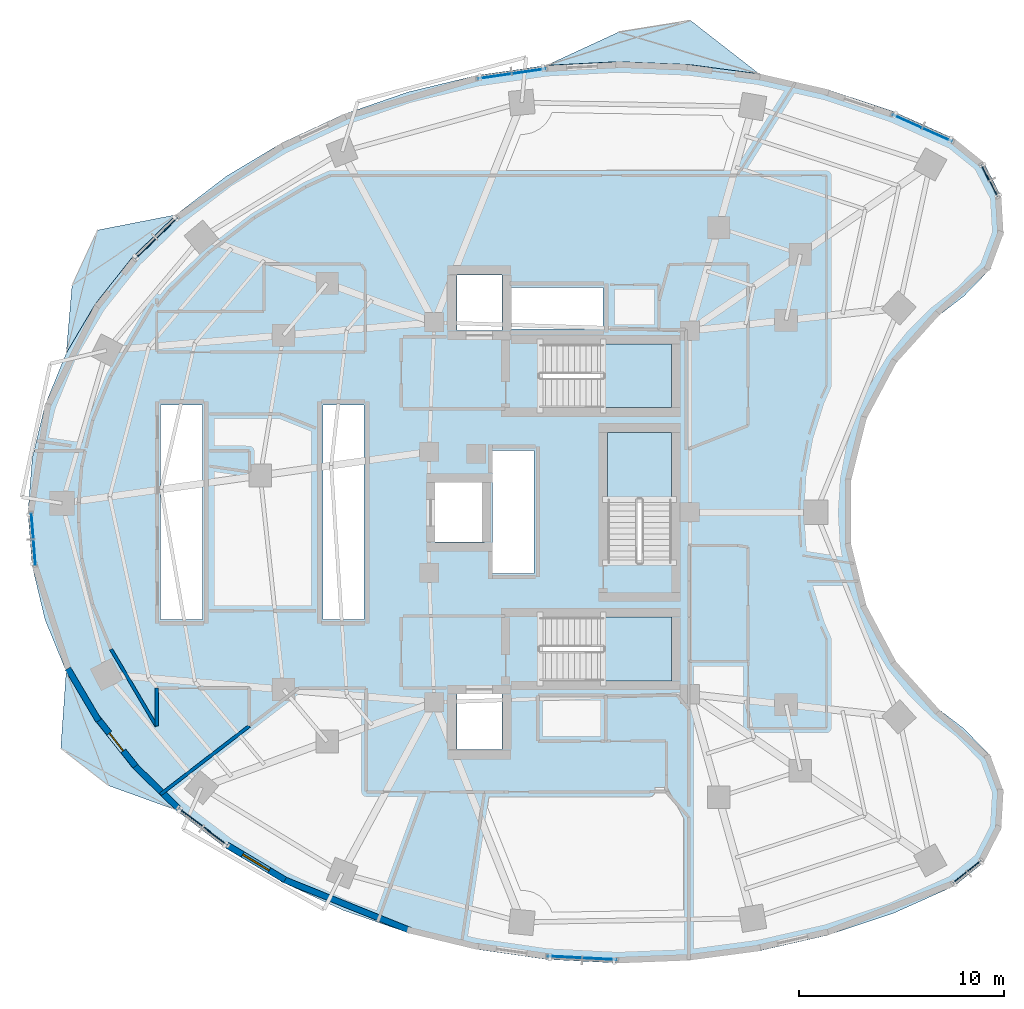
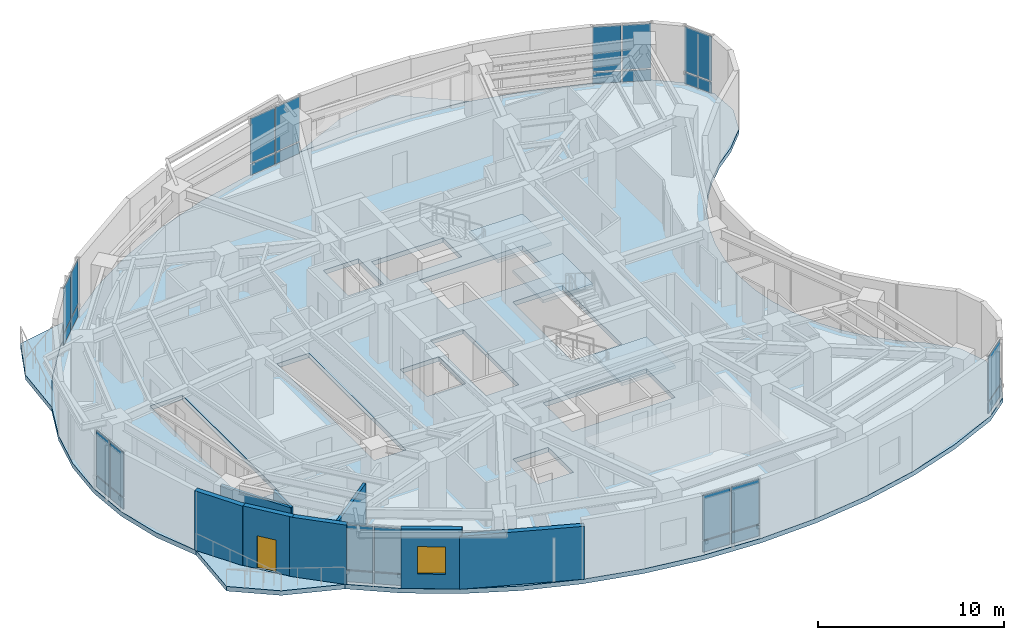
# One storey, part 7 of 15: 28 plates, 8 walls, 7 slabs, 1 door, 1 window, 2 openings, 11 elements without a shape of their own.
"""IFC4 building model written with IfcOpenShell, lengths in metres."""

from ifc_helpers import new_model, si_unit, direction, frame, frame_2d, origin, origin_2d, place, context, subcontext, project, spatial, polyline, rectangle, outline, extrude, material, layer, layer_set, type_object, element, fill, aggregate, save


model = new_model("IFC4")

# Units and contexts
model_context = context("Model", 3, precision=1e-05, world=origin(), true_north=direction((0.0, 1.0)))
body_context = subcontext(model_context, "Body", "Model", "MODEL_VIEW")
ifc_project = project(units=[si_unit("LENGTHUNIT", "METRE"), si_unit("AREAUNIT", "SQUARE_METRE"), si_unit("VOLUMEUNIT", "CUBIC_METRE"), si_unit("PLANEANGLEUNIT", "RADIAN"), si_unit("MASSUNIT", "GRAM", prefix="KILO")], contexts=[model_context])

# Site, building, storey
site_placement = place(None, origin())
site = spatial("IfcSite", under=ifc_project, at=site_placement, CompositionType="ELEMENT")
building_placement = place(site_placement, origin())
building = spatial("IfcBuilding", under=site, at=building_placement, Name="Korentha Bioscience Tower", CompositionType="ELEMENT")
storey_placement = place(building_placement, frame((0.0, 0.0, 115.199951171875)))
storey = spatial("IfcBuildingStorey", under=building, at=storey_placement, Name="L26", CompositionType="ELEMENT", Elevation=115.199951171875)

# Curtain wall, plates
ifc_material_1 = material(Name="Thermally Broken Aluminium Frame", Category="aluminium")
ifc_layer_1 = layer(ifc_material_1, 0.219970703125, Name="Thermally Broken Aluminium Frame")
ifc_layer_set_1 = layer_set([ifc_layer_1], Name="Thermally Broken Aluminium Frame (CW-T2)")
curtain_wall_type = type_object("IfcCurtainWallType", Name="Solar-Screened Lab Unitised Curtain Wall CW-T2", PredefinedType="USERDEFINED", material=ifc_layer_set_1)
curtain_wall_1_placement = place(storey_placement, origin())
curtain_wall_1 = element("IfcCurtainWall", 1, at=curtain_wall_1_placement, inside=storey, type_object=curtain_wall_type, Name="L26 Curtain Wall 01", ObjectType="UNITISED", PredefinedType="USERDEFINED")
ifc_material_2 = material(Name="Triple-Glazed Low-E Insulated Glass", Category="glass")
ifc_layer_2 = layer(ifc_material_2, 0.0439453125, Name="Triple-Glazed Low-E Insulated Glass")
ifc_layer_set_2 = layer_set([ifc_layer_2], Name="Triple-Glazed Low-E Insulated Glass (GL-44)")
plate_type = type_object("IfcPlateType", Name="Glazed Panel 44mm", PredefinedType="CURTAIN_PANEL", material=ifc_layer_set_2)
plate_1_placement = place(storey_placement, frame((49.61767578125, 45.385986328125, 0.08984375), z_axis=(0.0, 0.0, 1.0), x_axis=(-0.912686563127, 0.408660295952, 0.0)))
plate_1 = element("IfcPlate", 2, at=plate_1_placement, type_object=plate_type, Name="CW-L26-01 Bay 1 Glazed Panel 1", PredefinedType="CURTAIN_PANEL", context=body_context, shape_type="SweptSolid", body=[
    extrude(rectangle(XDim=1.54541015625, YDim=0.0439453125, at=origin_2d()), origin(), (0.0, 0.0, 1.0), 0.715087890625),
])
plate_2_placement = place(storey_placement, frame((49.61767578125, 45.385986328125, 0.89501953125), z_axis=(0.0, 0.0, 1.0), x_axis=(-0.912686563127, 0.408660295952, 0.0)))
plate_2 = element("IfcPlate", 3, at=plate_2_placement, type_object=plate_type, Name="CW-L26-01 Bay 1 Glazed Panel 2", PredefinedType="CURTAIN_PANEL", context=body_context, shape_type="SweptSolid", body=[
    extrude(rectangle(XDim=1.54541015625, YDim=0.0439453125, at=origin_2d()), origin(), (0.0, 0.0, 1.0), 2.9150390625),
])
plate_3_placement = place(storey_placement, frame((48.125, 46.05419921875, 0.08984375), z_axis=(0.0, 0.0, 1.0), x_axis=(-0.912686563127, 0.408660295952, 0.0)))
plate_3 = element("IfcPlate", 4, at=plate_3_placement, type_object=plate_type, Name="CW-L26-01 Bay 2 Glazed Panel 1", PredefinedType="CURTAIN_PANEL", context=body_context, shape_type="SweptSolid", body=[
    extrude(rectangle(XDim=1.54541015625, YDim=0.0439453125, at=origin_2d()), origin(), (0.0, 0.0, 1.0), 0.715087890625),
])
plate_4_placement = place(storey_placement, frame((48.125, 46.05419921875, 0.89501953125), z_axis=(0.0, 0.0, 1.0), x_axis=(-0.912686563127, 0.408660295952, 0.0)))
plate_4 = element("IfcPlate", 5, at=plate_4_placement, type_object=plate_type, Name="CW-L26-01 Bay 2 Glazed Panel 2", PredefinedType="CURTAIN_PANEL", context=body_context, shape_type="SweptSolid", body=[
    extrude(rectangle(XDim=1.54541015625, YDim=0.0439453125, at=origin_2d()), origin(), (0.0, 0.0, 1.0), 2.9150390625),
])
aggregate(curtain_wall_1, [plate_1, plate_2, plate_3, plate_4])

curtain_wall_2_placement = place(storey_placement, origin())
curtain_wall_2 = element("IfcCurtainWall", 6, at=curtain_wall_2_placement, inside=storey, type_object=curtain_wall_type, Name="L26 Curtain Wall 07", ObjectType="UNITISED", PredefinedType="USERDEFINED")
plate_5_placement = place(storey_placement, frame((29.724853515625, 48.486328125, 0.08984375), z_axis=(0.0, 0.0, 1.0), x_axis=(-0.989738282326, -0.14289203091, 0.0)))
plate_5 = element("IfcPlate", 7, at=plate_5_placement, type_object=plate_type, Name="CW-L26-07 Bay 1 Glazed Panel 1", PredefinedType="CURTAIN_PANEL", context=body_context, shape_type="SweptSolid", body=[
    extrude(rectangle(XDim=1.630615234375, YDim=0.0439453125, at=origin_2d()), origin(), (0.0, 0.0, 1.0), 0.715087890625),
])
plate_6_placement = place(storey_placement, frame((29.724853515625, 48.486328125, 0.89501953125), z_axis=(0.0, 0.0, 1.0), x_axis=(-0.989738282326, -0.14289203091, 0.0)))
plate_6 = element("IfcPlate", 8, at=plate_6_placement, type_object=plate_type, Name="CW-L26-07 Bay 1 Glazed Panel 2", PredefinedType="CURTAIN_PANEL", context=body_context, shape_type="SweptSolid", body=[
    extrude(rectangle(XDim=1.630615234375, YDim=0.0439453125, at=origin_2d()), origin(), (0.0, 0.0, 1.0), 2.9150390625),
])
plate_7_placement = place(storey_placement, frame((28.021728515625, 48.240478515625, 0.08984375), z_axis=(0.0, 0.0, 1.0), x_axis=(-0.989738282326, -0.14289203091, 0.0)))
plate_7 = element("IfcPlate", 9, at=plate_7_placement, type_object=plate_type, Name="CW-L26-07 Bay 2 Glazed Panel 1", PredefinedType="CURTAIN_PANEL", context=body_context, shape_type="SweptSolid", body=[
    extrude(rectangle(XDim=1.630615234375, YDim=0.0439453125, at=origin_2d()), origin(), (0.0, 0.0, 1.0), 0.715087890625),
])
plate_8_placement = place(storey_placement, frame((28.021728515625, 48.240478515625, 0.89501953125), z_axis=(0.0, 0.0, 1.0), x_axis=(-0.989738282326, -0.14289203091, 0.0)))
plate_8 = element("IfcPlate", 10, at=plate_8_placement, type_object=plate_type, Name="CW-L26-07 Bay 2 Glazed Panel 2", PredefinedType="CURTAIN_PANEL", context=body_context, shape_type="SweptSolid", body=[
    extrude(rectangle(XDim=1.630615234375, YDim=0.0439453125, at=origin_2d()), origin(), (0.0, 0.0, 1.0), 2.9150390625),
])
aggregate(curtain_wall_2, [plate_5, plate_6, plate_7, plate_8])

curtain_wall_3_placement = place(storey_placement, origin())
curtain_wall_3 = element("IfcCurtainWall", 11, at=curtain_wall_3_placement, inside=storey, type_object=curtain_wall_type, Name="L26 Curtain Wall 13", ObjectType="UNITISED", PredefinedType="USERDEFINED")
plate_9_placement = place(storey_placement, frame((12.09912109375, 40.858642578125, 0.08984375), z_axis=(0.0, 0.0, 1.0), x_axis=(-0.716095631804, -0.698002182025, 0.0)))
plate_9 = element("IfcPlate", 12, at=plate_9_placement, type_object=plate_type, Name="CW-L26-13 Bay 1 Glazed Panel 1", PredefinedType="CURTAIN_PANEL", context=body_context, shape_type="SweptSolid", body=[
    extrude(rectangle(XDim=1.39599609375, YDim=0.0439453125, at=origin_2d()), origin(), (0.0, 0.0, 1.0), 0.715087890625),
])
plate_10_placement = place(storey_placement, frame((12.09912109375, 40.858642578125, 0.89501953125), z_axis=(0.0, 0.0, 1.0), x_axis=(-0.716095631804, -0.698002182025, 0.0)))
plate_10 = element("IfcPlate", 13, at=plate_10_placement, type_object=plate_type, Name="CW-L26-13 Bay 1 Glazed Panel 2", PredefinedType="CURTAIN_PANEL", context=body_context, shape_type="SweptSolid", body=[
    extrude(rectangle(XDim=1.39599609375, YDim=0.0439453125, at=origin_2d()), origin(), (0.0, 0.0, 1.0), 2.9150390625),
])
plate_11_placement = place(storey_placement, frame((11.034912109375, 39.8212890625, 0.08984375), z_axis=(0.0, 0.0, 1.0), x_axis=(-0.716095631804, -0.698002182025, 0.0)))
plate_11 = element("IfcPlate", 14, at=plate_11_placement, type_object=plate_type, Name="CW-L26-13 Bay 2 Glazed Panel 1", PredefinedType="CURTAIN_PANEL", context=body_context, shape_type="SweptSolid", body=[
    extrude(rectangle(XDim=1.39599609375, YDim=0.0439453125, at=origin_2d()), origin(), (0.0, 0.0, 1.0), 0.715087890625),
])
plate_12_placement = place(storey_placement, frame((11.034912109375, 39.8212890625, 0.89501953125), z_axis=(0.0, 0.0, 1.0), x_axis=(-0.716095631804, -0.698002182025, 0.0)))
plate_12 = element("IfcPlate", 15, at=plate_12_placement, type_object=plate_type, Name="CW-L26-13 Bay 2 Glazed Panel 2", PredefinedType="CURTAIN_PANEL", context=body_context, shape_type="SweptSolid", body=[
    extrude(rectangle(XDim=1.39599609375, YDim=0.0439453125, at=origin_2d()), origin(), (0.0, 0.0, 1.0), 2.9150390625),
])
aggregate(curtain_wall_3, [plate_9, plate_10, plate_11, plate_12])

curtain_wall_4_placement = place(storey_placement, origin())
curtain_wall_4 = element("IfcCurtainWall", 16, at=curtain_wall_4_placement, inside=storey, type_object=curtain_wall_type, Name="L26 Curtain Wall 19", ObjectType="UNITISED", PredefinedType="USERDEFINED")
plate_13_placement = place(storey_placement, frame((5.52587890625, 26.35205078125, 0.08984375), z_axis=(0.0, 0.0, 1.0), x_axis=(0.079130214674, -0.996864288219, 0.0)))
plate_13 = element("IfcPlate", 17, at=plate_13_placement, type_object=plate_type, Name="CW-L26-19 Bay 1 Glazed Panel 1", PredefinedType="CURTAIN_PANEL", context=body_context, shape_type="SweptSolid", body=[
    extrude(rectangle(XDim=1.225341796875, YDim=0.0439453125, at=origin_2d()), origin(), (0.0, 0.0, 1.0), 0.715087890625),
])
plate_14_placement = place(storey_placement, frame((5.52587890625, 26.35205078125, 0.89501953125), z_axis=(0.0, 0.0, 1.0), x_axis=(0.079130214674, -0.996864288219, 0.0)))
plate_14 = element("IfcPlate", 18, at=plate_14_placement, type_object=plate_type, Name="CW-L26-19 Bay 1 Glazed Panel 2", PredefinedType="CURTAIN_PANEL", context=body_context, shape_type="SweptSolid", body=[
    extrude(rectangle(XDim=1.225341796875, YDim=0.0439453125, at=origin_2d()), origin(), (0.0, 0.0, 1.0), 2.9150390625),
])
plate_15_placement = place(storey_placement, frame((5.6298828125, 25.040771484375, 0.08984375), z_axis=(0.0, 0.0, 1.0), x_axis=(0.079130214674, -0.996864288219, 0.0)))
plate_15 = element("IfcPlate", 19, at=plate_15_placement, type_object=plate_type, Name="CW-L26-19 Bay 2 Glazed Panel 1", PredefinedType="CURTAIN_PANEL", context=body_context, shape_type="SweptSolid", body=[
    extrude(rectangle(XDim=1.225341796875, YDim=0.0439453125, at=origin_2d()), origin(), (0.0, 0.0, 1.0), 0.715087890625),
])
plate_16_placement = place(storey_placement, frame((5.6298828125, 25.040771484375, 0.89501953125), z_axis=(0.0, 0.0, 1.0), x_axis=(0.079130214674, -0.996864288219, 0.0)))
plate_16 = element("IfcPlate", 20, at=plate_16_placement, type_object=plate_type, Name="CW-L26-19 Bay 2 Glazed Panel 2", PredefinedType="CURTAIN_PANEL", context=body_context, shape_type="SweptSolid", body=[
    extrude(rectangle(XDim=1.225341796875, YDim=0.0439453125, at=origin_2d()), origin(), (0.0, 0.0, 1.0), 2.9150390625),
])
aggregate(curtain_wall_4, [plate_13, plate_14, plate_15, plate_16])

curtain_wall_5_placement = place(storey_placement, origin())
curtain_wall_5 = element("IfcCurtainWall", 21, at=curtain_wall_5_placement, inside=storey, type_object=curtain_wall_type, Name="L26 Curtain Wall 25", ObjectType="UNITISED", PredefinedType="USERDEFINED")
plate_17_placement = place(storey_placement, frame((13.234619140625, 12.162353515625, 0.08984375), z_axis=(0.0, 0.0, 1.0), x_axis=(0.794499603893, -0.607264669986, 0.0)))
plate_17 = element("IfcPlate", 22, at=plate_17_placement, type_object=plate_type, Name="CW-L26-25 Bay 1 Glazed Panel 1", PredefinedType="CURTAIN_PANEL", context=body_context, shape_type="SweptSolid", body=[
    extrude(rectangle(XDim=1.4462890625, YDim=0.0439453125, at=origin_2d()), origin(), (0.0, 0.0, 1.0), 0.715087890625),
])
plate_18_placement = place(storey_placement, frame((13.234619140625, 12.162353515625, 0.89501953125), z_axis=(0.0, 0.0, 1.0), x_axis=(0.794499603893, -0.607264669986, 0.0)))
plate_18 = element("IfcPlate", 23, at=plate_18_placement, type_object=plate_type, Name="CW-L26-25 Bay 1 Glazed Panel 2", PredefinedType="CURTAIN_PANEL", context=body_context, shape_type="SweptSolid", body=[
    extrude(rectangle(XDim=1.4462890625, YDim=0.0439453125, at=origin_2d()), origin(), (0.0, 0.0, 1.0), 2.9150390625),
])
plate_19_placement = place(storey_placement, frame((14.455078125, 11.229248046875, 0.08984375), z_axis=(0.0, 0.0, 1.0), x_axis=(0.794499603893, -0.607264669986, 0.0)))
plate_19 = element("IfcPlate", 24, at=plate_19_placement, type_object=plate_type, Name="CW-L26-25 Bay 2 Glazed Panel 1", PredefinedType="CURTAIN_PANEL", context=body_context, shape_type="SweptSolid", body=[
    extrude(rectangle(XDim=1.4462890625, YDim=0.0439453125, at=origin_2d()), origin(), (0.0, 0.0, 1.0), 0.715087890625),
])
plate_20_placement = place(storey_placement, frame((14.455078125, 11.229248046875, 0.89501953125), z_axis=(0.0, 0.0, 1.0), x_axis=(0.794499603893, -0.607264669986, 0.0)))
plate_20 = element("IfcPlate", 25, at=plate_20_placement, type_object=plate_type, Name="CW-L26-25 Bay 2 Glazed Panel 2", PredefinedType="CURTAIN_PANEL", context=body_context, shape_type="SweptSolid", body=[
    extrude(rectangle(XDim=1.4462890625, YDim=0.0439453125, at=origin_2d()), origin(), (0.0, 0.0, 1.0), 2.9150390625),
])
aggregate(curtain_wall_5, [plate_17, plate_18, plate_19, plate_20])

curtain_wall_6_placement = place(storey_placement, origin())
curtain_wall_6 = element("IfcCurtainWall", 26, at=curtain_wall_6_placement, inside=storey, type_object=curtain_wall_type, Name="L26 Curtain Wall 31", ObjectType="UNITISED", PredefinedType="USERDEFINED")
plate_21_placement = place(storey_placement, frame((31.436279296875, 5.346435546875, 0.08984375), z_axis=(0.0, 0.0, 1.0), x_axis=(0.998673231344, -0.051495407527, 0.0)))
plate_21 = element("IfcPlate", 27, at=plate_21_placement, type_object=plate_type, Name="CW-L26-31 Bay 1 Glazed Panel 1", PredefinedType="CURTAIN_PANEL", context=body_context, shape_type="SweptSolid", body=[
    extrude(rectangle(XDim=1.641845703125, YDim=0.0439453125, at=origin_2d()), origin(), (0.0, 0.0, 1.0), 0.715087890625),
])
plate_22_placement = place(storey_placement, frame((31.436279296875, 5.346435546875, 0.89501953125), z_axis=(0.0, 0.0, 1.0), x_axis=(0.998673231344, -0.051495407527, 0.0)))
plate_22 = element("IfcPlate", 28, at=plate_22_placement, type_object=plate_type, Name="CW-L26-31 Bay 1 Glazed Panel 2", PredefinedType="CURTAIN_PANEL", context=body_context, shape_type="SweptSolid", body=[
    extrude(rectangle(XDim=1.641845703125, YDim=0.0439453125, at=origin_2d()), origin(), (0.0, 0.0, 1.0), 2.9150390625),
])
plate_23_placement = place(storey_placement, frame((33.166015625, 5.25732421875, 0.08984375), z_axis=(0.0, 0.0, 1.0), x_axis=(0.998673231344, -0.051495407527, 0.0)))
plate_23 = element("IfcPlate", 29, at=plate_23_placement, type_object=plate_type, Name="CW-L26-31 Bay 2 Glazed Panel 1", PredefinedType="CURTAIN_PANEL", context=body_context, shape_type="SweptSolid", body=[
    extrude(rectangle(XDim=1.641845703125, YDim=0.0439453125, at=origin_2d()), origin(), (0.0, 0.0, 1.0), 0.715087890625),
])
plate_24_placement = place(storey_placement, frame((33.166015625, 5.25732421875, 0.89501953125), z_axis=(0.0, 0.0, 1.0), x_axis=(0.998673231344, -0.051495407527, 0.0)))
plate_24 = element("IfcPlate", 30, at=plate_24_placement, type_object=plate_type, Name="CW-L26-31 Bay 2 Glazed Panel 2", PredefinedType="CURTAIN_PANEL", context=body_context, shape_type="SweptSolid", body=[
    extrude(rectangle(XDim=1.641845703125, YDim=0.0439453125, at=origin_2d()), origin(), (0.0, 0.0, 1.0), 2.9150390625),
])
aggregate(curtain_wall_6, [plate_21, plate_22, plate_23, plate_24])

curtain_wall_7_placement = place(storey_placement, origin())
curtain_wall_7 = element("IfcCurtainWall", 31, at=curtain_wall_7_placement, inside=storey, type_object=curtain_wall_type, Name="L26 Curtain Wall 37", ObjectType="UNITISED", PredefinedType="USERDEFINED")
plate_25_placement = place(storey_placement, frame((51.04736328125, 9.506591796875, 0.08984375), z_axis=(0.0, 0.0, 1.0), x_axis=(0.777315301098, 0.629111216463, 0.0)))
plate_25 = element("IfcPlate", 32, at=plate_25_placement, type_object=plate_type, Name="CW-L26-37 Bay 1 Glazed Panel 1", PredefinedType="CURTAIN_PANEL", context=body_context, shape_type="SweptSolid", body=[
    extrude(rectangle(XDim=1.737548828125, YDim=0.0439453125, at=origin_2d()), origin(), (0.0, 0.0, 1.0), 0.715087890625),
])
plate_26_placement = place(storey_placement, frame((51.04736328125, 9.506591796875, 0.89501953125), z_axis=(0.0, 0.0, 1.0), x_axis=(0.777315301098, 0.629111216463, 0.0)))
plate_26 = element("IfcPlate", 33, at=plate_26_placement, type_object=plate_type, Name="CW-L26-37 Bay 1 Glazed Panel 2", PredefinedType="CURTAIN_PANEL", context=body_context, shape_type="SweptSolid", body=[
    extrude(rectangle(XDim=1.737548828125, YDim=0.0439453125, at=origin_2d()), origin(), (0.0, 0.0, 1.0), 2.9150390625),
])
aggregate(curtain_wall_7, [plate_25, plate_26])

curtain_wall_8_placement = place(storey_placement, origin())
curtain_wall_8 = element("IfcCurtainWall", 34, at=curtain_wall_8_placement, inside=storey, type_object=curtain_wall_type, Name="L26 Curtain Wall 61", ObjectType="UNITISED", PredefinedType="USERDEFINED")
plate_27_placement = place(storey_placement, frame((52.140380859375, 43.149658203125, 0.08984375), z_axis=(0.0, 0.0, 1.0), x_axis=(-0.457613117169, 0.889151412862, 0.0)))
plate_27 = element("IfcPlate", 35, at=plate_27_placement, type_object=plate_type, Name="CW-L26-61 Bay 1 Glazed Panel 1", PredefinedType="CURTAIN_PANEL", context=body_context, shape_type="SweptSolid", body=[
    extrude(rectangle(XDim=1.737548828125, YDim=0.0439453125, at=origin_2d()), origin(), (0.0, 0.0, 1.0), 0.715087890625),
])
plate_28_placement = place(storey_placement, frame((52.140380859375, 43.149658203125, 0.89501953125), z_axis=(0.0, 0.0, 1.0), x_axis=(-0.457613117169, 0.889151412862, 0.0)))
plate_28 = element("IfcPlate", 36, at=plate_28_placement, type_object=plate_type, Name="CW-L26-61 Bay 1 Glazed Panel 2", PredefinedType="CURTAIN_PANEL", context=body_context, shape_type="SweptSolid", body=[
    extrude(rectangle(XDim=1.737548828125, YDim=0.0439453125, at=origin_2d()), origin(), (0.0, 0.0, 1.0), 2.9150390625),
])
aggregate(curtain_wall_8, [plate_27, plate_28])

# Slab
ifc_material_3 = material(Name="Concrete C50", Category="concrete")
ifc_layer_3 = layer(ifc_material_3, 0.300048828125, Name="Concrete C50")
ifc_layer_set_3 = layer_set([ifc_layer_3], Name="Concrete C50 (SL-L300)")
slab_type_1 = type_object("IfcSlabType", Name="Laboratory Vibration-Controlled Slab 300", PredefinedType="FLOOR", material=ifc_layer_set_3)
slab_1_placement = place(storey_placement, frame((0.0, 0.0, -0.300048828125)))
element("IfcSlab", 37, at=slab_1_placement, inside=storey, type_object=slab_type_1, Name="L26 Tower Structural Floor Slab", PredefinedType="FLOOR", context=body_context, shape_type="SweptSolid", body=[
    extrude(outline(polyline([(50.433837890625, 45.19580078125), (47.439697265625, 46.53662109375), (44.2548828125, 47.59521484375), (40.925537109375, 48.3564453125), (37.5, 48.809326171875), (34.027587890625, 48.947265625), (30.558349609375, 48.7685546875), (27.142333984375, 48.275390625), (23.8291015625, 47.474853515625), (20.66650390625, 46.37890625), (17.69970703125, 45.003173828125), (14.972412109375, 43.367431640625), (12.52294921875, 41.495361328125), (10.3876953125, 39.413818359375), (8.5966796875, 37.1533203125), (7.17626953125, 34.74609375), (6.146484375, 32.22705078125), (5.52294921875, 29.632568359375), (5.31396484375, 27.0), (5.52294921875, 24.367431640625), (6.146484375, 21.77294921875), (7.17626953125, 19.25390625), (8.5966796875, 16.8466796875), (10.3876953125, 14.586181640625), (12.52294921875, 12.504638671875), (14.972412109375, 10.632568359375), (17.69970703125, 8.996826171875), (20.66650390625, 7.62109375), (23.8291015625, 6.525146484375), (27.142333984375, 5.724609375), (30.558349609375, 5.2314453125), (34.027587890625, 5.052734375), (37.5, 5.190673828125), (40.925537109375, 5.6435546875), (44.2548828125, 6.40478515625), (47.439697265625, 7.46337890625), (50.433837890625, 8.80419921875), (51.8623046875, 9.960205078125), (52.703125, 11.593994140625), (52.813720703125, 13.42822265625), (52.175537109375, 15.1513671875), (50.896484375, 16.470703125), (49.666259765625, 17.414794921875), (48.560302734375, 18.501708984375), (47.594970703125, 19.715087890625), (46.78466796875, 21.037353515625), (46.1416015625, 22.448486328125), (45.67529296875, 23.927490234375), (45.392578125, 25.4521484375), (45.298095703125, 27.0), (45.392578125, 28.5478515625), (45.67529296875, 30.072509765625), (46.1416015625, 31.551513671875), (46.78466796875, 32.962646484375), (47.594970703125, 34.284912109375), (48.560302734375, 35.498291015625), (49.666259765625, 36.585205078125), (50.896484375, 37.529296875), (52.175537109375, 38.8486328125), (52.813720703125, 40.57177734375), (52.703125, 42.406005859375), (51.8623046875, 44.039794921875), (50.433837890625, 45.19580078125)]), holes=[polyline([(30.25, 32.10009765625), (36.64990234375, 32.10009765625), (36.64990234375, 35.199951171875), (30.25, 35.199951171875), (30.25, 32.10009765625)]), polyline([(30.25, 18.800048828125), (36.64990234375, 18.800048828125), (36.64990234375, 21.89990234375), (30.25, 21.89990234375), (30.25, 18.800048828125)]), polyline([(36.64990234375, 24.550048828125), (36.64990234375, 30.89990234375), (33.550048828125, 30.89990234375), (33.550048828125, 24.550048828125), (36.64990234375, 24.550048828125)]), polyline([(11.780029296875, 21.780029296875), (13.820068359375, 21.780029296875), (13.820068359375, 32.219970703125), (11.780029296875, 32.219970703125), (11.780029296875, 21.780029296875)]), polyline([(19.679931640625, 21.780029296875), (21.669921875, 21.780029296875), (21.669921875, 32.219970703125), (19.679931640625, 32.219970703125), (19.679931640625, 21.780029296875)]), polyline([(27.929931640625, 24.030029296875), (29.969970703125, 24.030029296875), (29.969970703125, 30.02001953125), (27.929931640625, 30.02001953125), (27.929931640625, 24.030029296875)]), polyline([(28.860107421875, 35.93994140625), (33.31005859375, 35.93994140625), (33.31005859375, 37.9599609375), (28.860107421875, 37.9599609375), (28.860107421875, 35.93994140625)]), polyline([(26.199951171875, 15.449951171875), (28.39990234375, 15.449951171875), (28.39990234375, 18.14990234375), (26.199951171875, 18.14990234375), (26.199951171875, 15.449951171875)]), polyline([(26.199951171875, 35.85009765625), (28.39990234375, 35.85009765625), (28.39990234375, 38.550048828125), (26.199951171875, 38.550048828125), (26.199951171875, 35.85009765625)]), polyline([(25.14990234375, 25.550048828125), (27.550048828125, 25.550048828125), (27.550048828125, 28.449951171875), (25.14990234375, 28.449951171875), (25.14990234375, 25.550048828125)])]), origin(), (0.0, 0.0, 1.0), 0.300048828125),
])

# Stair, slab
ifc_material_4 = material(Name="Precast Concrete C50", Category="concrete")
stair_type = type_object("IfcStairType", Name="Core Exit Dog-Leg Stair 1450", PredefinedType="HALF_TURN_STAIR", material=ifc_material_4)
stair_1_placement = place(storey_placement, origin())
stair_1 = element("IfcStair", 38, at=stair_1_placement, inside=storey, type_object=stair_type, Name="L26 Tower North Pressurized Exit Stair ST-1", PredefinedType="HALF_TURN_STAIR")
ifc_layer_4 = layer(ifc_material_3, 0.199951171875, Name="Concrete C50")
ifc_layer_set_4 = layer_set([ifc_layer_4], Name="Concrete C50 (SL-LND)")
slab_type_2 = type_object("IfcSlabType", Name="Landing Slab 200", PredefinedType="LANDING", material=ifc_layer_set_4)
slab_2_placement = place(storey_placement, frame((0.0, 0.0, 1.900146484375)))
slab_2 = element("IfcSlab", 39, at=slab_2_placement, type_object=slab_type_2, Name="ST-1 landing 1", PredefinedType="LANDING", context=body_context, shape_type="SweptSolid", body=[
    extrude(outline(polyline([(33.330078125, 32.10009765625), (36.64990234375, 32.10009765625), (36.64990234375, 35.199951171875), (33.330078125, 35.199951171875), (33.330078125, 32.10009765625)])), origin(), (0.0, 0.0, 1.0), 0.199951171875),
])
aggregate(stair_1, [slab_2])

stair_2_placement = place(storey_placement, origin())
stair_2 = element("IfcStair", 40, at=stair_2_placement, inside=storey, type_object=stair_type, Name="L26 Tower South Pressurized Exit Stair ST-2", PredefinedType="HALF_TURN_STAIR")
slab_3_placement = place(storey_placement, frame((0.0, 0.0, 1.900146484375)))
slab_3 = element("IfcSlab", 41, at=slab_3_placement, type_object=slab_type_2, Name="ST-2 landing 1", PredefinedType="LANDING", context=body_context, shape_type="SweptSolid", body=[
    extrude(outline(polyline([(33.330078125, 18.800048828125), (36.64990234375, 18.800048828125), (36.64990234375, 21.89990234375), (33.330078125, 21.89990234375), (33.330078125, 18.800048828125)])), origin(), (0.0, 0.0, 1.0), 0.199951171875),
])
aggregate(stair_2, [slab_3])

stair_3_placement = place(storey_placement, origin())
stair_3 = element("IfcStair", 42, at=stair_3_placement, inside=storey, type_object=stair_type, Name="L26 Tower Central Pressurized Exit Stair ST-3", PredefinedType="HALF_TURN_STAIR")
slab_4_placement = place(storey_placement, frame((0.0, 0.0, 1.900146484375)))
slab_4 = element("IfcSlab", 43, at=slab_4_placement, type_object=slab_type_2, Name="ST-3 landing 1", PredefinedType="LANDING", context=body_context, shape_type="SweptSolid", body=[
    extrude(outline(polyline([(36.64990234375, 27.6298828125), (36.64990234375, 30.89990234375), (33.550048828125, 30.89990234375), (33.550048828125, 27.6298828125), (36.64990234375, 27.6298828125)])), origin(), (0.0, 0.0, 1.0), 0.199951171875),
])
aggregate(stair_3, [slab_4])

# Slabs
ifc_layer_5 = layer(ifc_material_3, 0.300048828125, Name="Concrete C50")
ifc_layer_set_5 = layer_set([ifc_layer_5], Name="Concrete C50 (BS-240)")
slab_type_3 = type_object("IfcSlabType", Name="Sawtooth Sun-Ledge Balcony Slab 240", PredefinedType="USERDEFINED", material=ifc_layer_set_5)
slab_5_placement = place(storey_placement, frame((0.0, 0.0, -0.300048828125)))
element("IfcSlab", 44, at=slab_5_placement, inside=storey, type_object=slab_type_3, Name="L26 Sun-Ledge Balcony 01", ObjectType="BALCONY", PredefinedType="USERDEFINED", context=body_context, shape_type="SweptSolid", body=[
    extrude(outline(polyline([(30.558349609375, 48.7685546875), (34.027587890625, 48.947265625), (37.5, 48.809326171875), (40.925537109375, 48.3564453125), (37.58544921875, 50.95751953125), (34.085205078125, 50.396240234375), (30.558349609375, 48.7685546875)])), origin(), (0.0, 0.0, 1.0), 0.300048828125),
])
slab_6_placement = place(storey_placement, frame((0.0, 0.0, -0.300048828125)))
element("IfcSlab", 45, at=slab_6_placement, inside=storey, type_object=slab_type_3, Name="L26 Sun-Ledge Balcony 02", ObjectType="BALCONY", PredefinedType="USERDEFINED", context=body_context, shape_type="SweptSolid", body=[
    extrude(outline(polyline([(7.17626953125, 34.74609375), (8.5966796875, 37.1533203125), (10.3876953125, 39.413818359375), (12.52294921875, 41.495361328125), (8.702392578125, 40.7490234375), (7.4599609375, 38.0537109375), (7.17626953125, 34.74609375)])), origin(), (0.0, 0.0, 1.0), 0.300048828125),
])
slab_7_placement = place(storey_placement, frame((0.0, 0.0, -0.300048828125)))
element("IfcSlab", 46, at=slab_7_placement, inside=storey, type_object=slab_type_3, Name="L26 Sun-Ledge Balcony 03", ObjectType="BALCONY", PredefinedType="USERDEFINED", context=body_context, shape_type="SweptSolid", body=[
    extrude(outline(polyline([(12.52294921875, 12.504638671875), (10.3876953125, 14.586181640625), (8.5966796875, 16.8466796875), (7.17626953125, 19.25390625), (6.911376953125, 15.51171875), (9.2509765625, 13.685791015625), (12.52294921875, 12.504638671875)])), origin(), (0.0, 0.0, 1.0), 0.300048828125),
])

# Walls
ifc_material_5 = material(Name="Gypsum-Clad Steel Stud", Category="steel")
ifc_layer_6 = layer(ifc_material_5, 0.159912109375, Name="Gypsum-Clad Steel Stud")
ifc_layer_set_6 = layer_set([ifc_layer_6], Name="Gypsum-Clad Steel Stud (IW-C160)")
wall_type_1 = type_object("IfcWallType", Name="Fire-Rated Corridor Partition Wall 160", PredefinedType="PARTITIONING", material=ifc_layer_set_6)
wall_1_placement = place(storey_placement, frame((9.359130859375, 20.336181640625, 0.0), z_axis=(0.0, 0.0, 1.0), x_axis=(0.508164254342, -0.86126017591, 0.0)))
element("IfcWall", 47, at=wall_1_placement, inside=storey, type_object=wall_type_1, Name="L26 Interior Partition 032", PredefinedType="PARTITIONING", context=body_context, shape_type="SweptSolid", body=[
    extrude(rectangle(XDim=4.353271484375, YDim=0.159912109375, at=frame_2d((2.1767578125, 0.0))), origin(), (0.0, 0.0, 1.0), 2.91015625),
])
wall_2_placement = place(storey_placement, frame((11.590087890625, 16.592041015625, 0.0), z_axis=(0.0, 0.0, 1.0), x_axis=(0.0, 1.0, 0.0)))
element("IfcWall", 48, at=wall_2_placement, inside=storey, type_object=wall_type_1, Name="L26 Interior Partition 033", PredefinedType="PARTITIONING", context=body_context, shape_type="SweptSolid", body=[
    extrude(rectangle(XDim=1.847900390625, YDim=0.159912109375, at=frame_2d((0.923828125, 0.0))), origin(), (0.0, 0.0, 1.0), 2.91015625),
])
wall_3_placement = place(storey_placement, frame((16.097900390625, 16.5986328125, 0.0), z_axis=(0.0, 0.0, 1.0), x_axis=(-0.792293030169, -0.610140766008, 0.0)))
element("IfcWall", 49, at=wall_3_placement, inside=storey, type_object=wall_type_1, Name="L26 Interior Partition 035", PredefinedType="PARTITIONING", context=body_context, shape_type="SweptSolid", body=[
    extrude(rectangle(XDim=5.458984375, YDim=0.159912109375, at=frame_2d((2.7294921875, 0.0))), origin(), (0.0, 0.0, 1.0), 2.91015625),
])

# Wall, opening, door
ifc_material_6 = material(Name="Honed Limestone Precast Concrete C40", Category="masonry")
ifc_layer_7 = layer(ifc_material_6, 0.300048828125, Name="Honed Limestone Precast Concrete C40")
ifc_layer_set_7 = layer_set([ifc_layer_7], Name="Honed Limestone Precast Concrete C40 (EW-ST300)")
wall_type_2 = type_object("IfcWallType", Name="Honed Limestone Cavity Spandrel Wall 300", PredefinedType="STANDARD", material=ifc_layer_set_7)
wall_4_placement = place(storey_placement, frame((8.684814453125, 16.9931640625, 0.0), z_axis=(0.0, 0.0, 1.0), x_axis=(0.620971431761, -0.783833197139, 0.0)))
wall_4 = element("IfcWall", 50, at=wall_4_placement, inside=storey, type_object=wall_type_2, Name="L26 Balcony Threshold Wall 03", PredefinedType="STANDARD", context=body_context, shape_type="SweptSolid", body=[
    extrude(rectangle(XDim=3.004150390625, YDim=0.300048828125, at=frame_2d((1.501953125, 0.0))), origin(), (0.0, 0.0, 1.0), 3.900146484375),
])
opening_1_placement = place(wall_4_placement, frame((0.951904296875, 0.0, 0.0)))
opening_1 = element("IfcOpeningElement", 51, at=opening_1_placement, cuts=wall_4, Name="Opening BD-11L", PredefinedType="OPENING", context=body_context, shape_type="SweptSolid", body=[
    extrude(rectangle(XDim=1.10009765625, YDim=2.14990234375, at=frame_2d((0.550048828125, 1.074951171875))), frame((0.0, 0.1650390625, 0.0), z_axis=(0.0, -1.0, 0.0), x_axis=(1.0, 0.0, 0.0)), (0.0, 0.0, 1.0), 0.329833984375),
])
ifc_material_7 = material(Name="Thermally Broken Glazed Aluminium", Category="aluminium")
door_type = type_object("IfcDoorType", Name="Balcony Terrace Glazed Door 1100x2150 Left", OperationType="SINGLE_SWING_LEFT", PredefinedType="DOOR", material=ifc_material_7)
door_placement = place(opening_1_placement, origin())
door = element("IfcDoor", 52, at=door_placement, inside=storey, type_object=door_type, Name="L26 Balcony Access Door 03", OperationType="SINGLE_SWING_LEFT", OverallHeight=2.14990234375, OverallWidth=1.10009765625, PredefinedType="DOOR", context=body_context, shape_type="SweptSolid", body=[
    extrude(rectangle(XDim=1.10009765625, YDim=2.14990234375, at=frame_2d((0.550048828125, 1.074951171875))), frame((0.0, 0.02490234375, 0.0), z_axis=(0.0, -1.0, 0.0), x_axis=(1.0, 0.0, 0.0)), (0.0, 0.0, 1.0), 0.050048828125),
])
fill(opening_1, door)

# Wall, opening, window
wall_5_placement = place(storey_placement, frame((15.003173828125, 10.80078125, 0.0), z_axis=(0.0, 0.0, 1.0), x_axis=(0.85758429223, -0.514343447242, 0.0)))
wall_5 = element("IfcWall", 53, at=wall_5_placement, inside=storey, type_object=wall_type_2, Name="L26 Honed Limestone Spandrel Wall 26", PredefinedType="STANDARD", context=body_context, shape_type="SweptSolid", body=[
    extrude(rectangle(XDim=3.30029296875, YDim=0.300048828125, at=frame_2d((1.650146484375, 0.0))), origin(), (0.0, 0.0, 1.0), 3.900146484375),
])
opening_2_placement = place(wall_5_placement, frame((0.900146484375, 0.0, 0.949951171875)))
opening_2 = element("IfcOpeningElement", 54, at=opening_2_placement, cuts=wall_5, Name="Opening WN-02", PredefinedType="OPENING", context=body_context, shape_type="SweptSolid", body=[
    extrude(rectangle(XDim=1.5, YDim=1.800048828125, at=frame_2d((0.75, 0.89990234375))), frame((0.0, 0.1650390625, 0.0), z_axis=(0.0, -1.0, 0.0), x_axis=(1.0, 0.0, 0.0)), (0.0, 0.0, 1.0), 0.329833984375),
])
ifc_material_8 = material(Name="Thermally Broken Aluminium Triple Glazing", Category="aluminium")
window_type = type_object("IfcWindowType", Name="Acoustic Operable Office Window 1500x1800", PartitioningType="DOUBLE_PANEL_VERTICAL", PredefinedType="WINDOW", material=ifc_material_8)
window_placement = place(opening_2_placement, origin())
window = element("IfcWindow", 55, at=window_placement, inside=storey, type_object=window_type, Name="L26 Facade Window 26", OverallHeight=1.800048828125, OverallWidth=1.5, PartitioningType="DOUBLE_PANEL_VERTICAL", PredefinedType="WINDOW", context=body_context, shape_type="SweptSolid", body=[
    extrude(rectangle(XDim=1.5, YDim=1.800048828125, at=frame_2d((0.75, 0.89990234375))), frame((0.0, 0.030029296875, 0.0), z_axis=(0.0, -1.0, 0.0), x_axis=(1.0, 0.0, 0.0)), (0.0, 0.0, 1.0), 0.06005859375),
])
fill(opening_2, window)

# Walls
wall_6_placement = place(storey_placement, frame((7.256103515625, 19.393798828125, 0.0), z_axis=(0.0, 0.0, 1.0), x_axis=(0.508200342003, -0.861238882302, 0.0)))
element("IfcWall", 56, at=wall_6_placement, inside=storey, type_object=wall_type_2, Name="L26 Limestone Perimeter Closure Wall 22", PredefinedType="STANDARD", context=body_context, shape_type="SweptSolid", body=[
    extrude(rectangle(XDim=2.954833984375, YDim=0.300048828125, at=frame_2d((1.4775390625, 0.0))), origin(), (0.0, 0.0, 1.0), 3.900146484375),
])
wall_7_placement = place(storey_placement, frame((10.427978515625, 14.7421875, 0.0), z_axis=(0.0, 0.0, 1.0), x_axis=(0.716101112291, -0.69799655943, 0.0)))
element("IfcWall", 57, at=wall_7_placement, inside=storey, type_object=wall_type_2, Name="L26 Limestone Perimeter Closure Wall 24", PredefinedType="STANDARD", context=body_context, shape_type="SweptSolid", body=[
    extrude(rectangle(XDim=3.14208984375, YDim=0.300048828125, at=frame_2d((1.571044921875, 0.0))), origin(), (0.0, 0.0, 1.0), 3.900146484375),
])
wall_8_placement = place(storey_placement, frame((17.677978515625, 9.15673828125, 0.0), z_axis=(0.0, 0.0, 1.0), x_axis=(0.927423312416, -0.374013368194, 0.0)))
element("IfcWall", 58, at=wall_8_placement, inside=storey, type_object=wall_type_2, Name="L26 Limestone Perimeter Closure Wall 27", PredefinedType="STANDARD", context=body_context, shape_type="SweptSolid", body=[
    extrude(rectangle(XDim=6.76904296875, YDim=0.300048828125, at=frame_2d((3.384521484375, 0.0))), origin(), (0.0, 0.0, 1.0), 3.469970703125),
])

save(model, "model.ifc")
